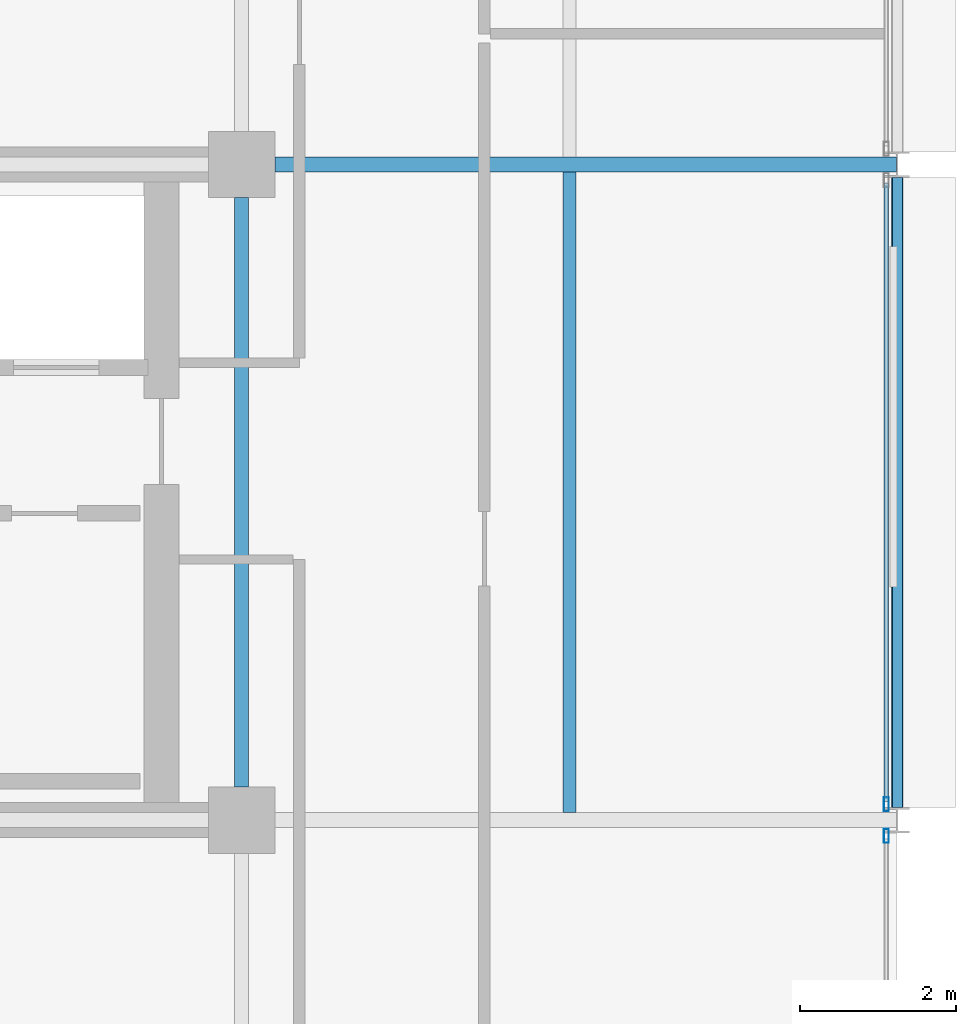
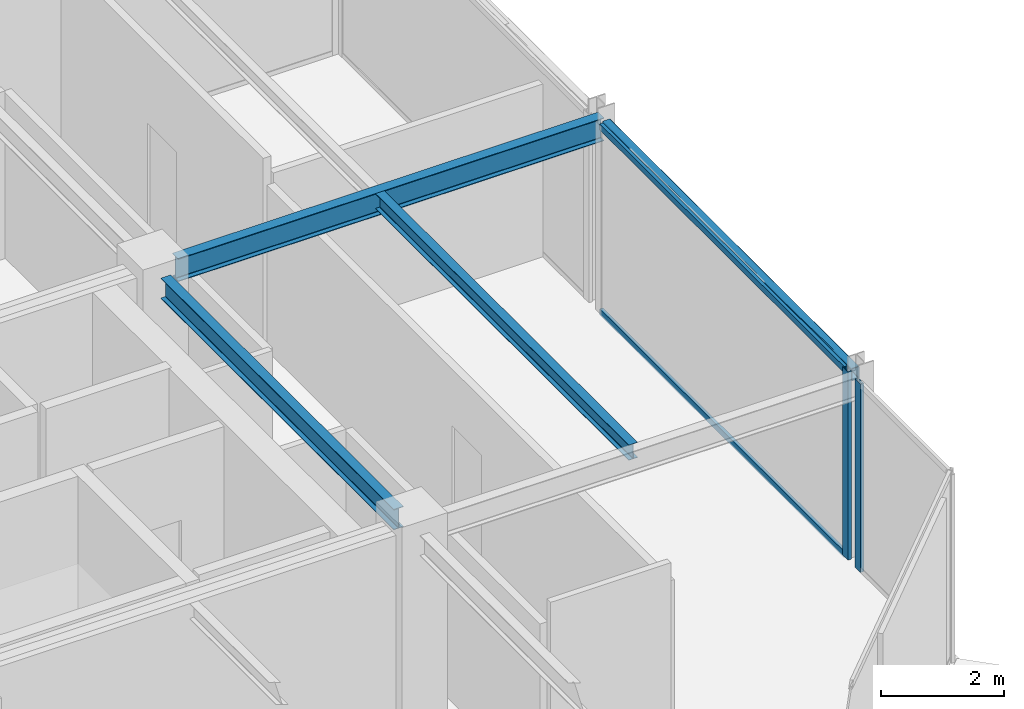
# One storey, part 15 of 27: 4 beams, 4 members, 2 elements without a shape of their own.
"""IFC4 building model written with IfcOpenShell, lengths in metres."""

from ifc_helpers import new_model, si_unit, direction, frame, origin, origin_2d, place, context, subcontext, project, spatial, hollow_rectangle, i_section, extrude, material, layer, layer_set, material_profile, profile_set, type_object, element, aggregate, save


model = new_model("IFC4")

# Units and contexts
model_context = context("Model", 3, precision=1e-05, world=origin(), true_north=direction((0.0, 1.0)))
body_context = subcontext(model_context, "Body", "Model", "MODEL_VIEW")
ifc_project = project(units=[si_unit("LENGTHUNIT", "METRE"), si_unit("AREAUNIT", "SQUARE_METRE"), si_unit("VOLUMEUNIT", "CUBIC_METRE"), si_unit("PLANEANGLEUNIT", "RADIAN"), si_unit("MASSUNIT", "GRAM", prefix="KILO")], contexts=[model_context])

# Site, building, storey
site_placement = place(None, origin())
site = spatial("IfcSite", under=ifc_project, at=site_placement, CompositionType="ELEMENT")
building_placement = place(site_placement, origin())
building = spatial("IfcBuilding", under=site, at=building_placement, Name="Nerrivon Quay Data Exchange", CompositionType="ELEMENT")
storey_placement = place(building_placement, frame((0.0, 0.0, 254.199951171875)))
storey = spatial("IfcBuildingStorey", under=building, at=storey_placement, Name="L60", CompositionType="ELEMENT", Elevation=254.199951171875)

# Beams
ifc_material_1 = material(Name="Steel Grade 350", Category="steel")
ifc_material_profile_1 = material_profile(ifc_material_1, i_section(OverallWidth=0.18994140625, OverallDepth=0.4541015625, WebThickness=0.008544921875, FlangeThickness=0.0126953125, FilletRadius=0.011474609375, at=origin_2d()), Name="460UB67.1")
ifc_profile_set_1 = profile_set([ifc_material_profile_1], Name="Steel Grade 350")
beam_type_1 = type_object("IfcBeamType", Name="BM-G6-460UB67", PredefinedType="BEAM", material=ifc_profile_set_1)
beam_1_placement = place(storey_placement, frame((34.02490234375, 16.800048828125, 3.498046875), z_axis=(1.0, 0.0, 0.0), x_axis=(0.0, 1.0, 0.0)))
element("IfcBeam", 1, at=beam_1_placement, inside=storey, type_object=beam_type_1, Name="L60 EW Girder Y=16.8 (33.6..42.0)", PredefinedType="BEAM", context=body_context, shape_type="SweptSolid", body=[
    extrude(i_section(OverallWidth=0.18994140625, OverallDepth=0.4541015625, WebThickness=0.008544921875, FlangeThickness=0.0126953125, FilletRadius=0.011474609375, at=origin_2d()), origin(), (0.0, 0.0, 1.0), 7.96728515625),
])
ifc_material_profile_2 = material_profile(ifc_material_1, i_section(OverallWidth=0.177978515625, OverallDepth=0.406005859375, WebThickness=0.0078125, FlangeThickness=0.0126953125, FilletRadius=0.011474609375, at=origin_2d()), Name="410UB59.7")
ifc_profile_set_2 = profile_set([ifc_material_profile_2], Name="Steel Grade 350")
beam_type_2 = type_object("IfcBeamType", Name="BM-J1-410UB60", PredefinedType="JOIST", material=ifc_profile_set_2)
beam_2_placement = place(storey_placement, frame((33.60009765625, 8.824951171875, 3.52197265625), z_axis=(0.0, 1.0, 0.0), x_axis=(-1.0, 0.0, 0.0)))
element("IfcBeam", 2, at=beam_2_placement, inside=storey, type_object=beam_type_2, Name="L60 NS Girder X=33.6 (8.4..16.8)", PredefinedType="JOIST", context=body_context, shape_type="SweptSolid", body=[
    extrude(i_section(OverallWidth=0.177978515625, OverallDepth=0.406005859375, WebThickness=0.0078125, FlangeThickness=0.0126953125, FilletRadius=0.011474609375, at=origin_2d()), origin(), (0.0, 0.0, 1.0), 7.550048828125),
])
ifc_material_profile_3 = material_profile(ifc_material_1, i_section(OverallWidth=0.1650390625, OverallDepth=0.303955078125, WebThickness=0.006103515625, FlangeThickness=0.01025390625, FilletRadius=0.011474609375, at=origin_2d()), Name="310UB40.4")
ifc_profile_set_3 = profile_set([ifc_material_profile_3], Name="Steel Grade 350")
beam_type_3 = type_object("IfcBeamType", Name="BM-J6-310UB40", PredefinedType="JOIST", material=ifc_profile_set_3)
beam_3_placement = place(storey_placement, frame((37.800048828125, 8.4951171875, 3.572998046875), z_axis=(0.0, 1.0, 0.0), x_axis=(-1.0, 0.0, 0.0)))
element("IfcBeam", 3, at=beam_3_placement, inside=storey, type_object=beam_type_3, Name="L60 Secondary Joist X=37.8 (8.4..16.8)", PredefinedType="JOIST", context=body_context, shape_type="SweptSolid", body=[
    extrude(i_section(OverallWidth=0.1650390625, OverallDepth=0.303955078125, WebThickness=0.006103515625, FlangeThickness=0.01025390625, FilletRadius=0.011474609375, at=origin_2d()), origin(), (0.0, 0.0, 1.0), 8.2099609375),
])
ifc_material_2 = material(Name="Steel Grade C350L0 (350 MPa)", Category="steel")
ifc_material_profile_4 = material_profile(ifc_material_2, hollow_rectangle(XDim=0.14990234375, YDim=0.25, WallThickness=0.009033203125, InnerFilletRadius=0.013427734375, OuterFilletRadius=0.0224609375, at=origin_2d()), Name="250x150x9.0RHS")
ifc_profile_set_4 = profile_set([ifc_material_profile_4], Name="Steel Grade C350L0 (350 MPa)")
beam_type_4 = type_object("IfcBeamType", Name="BM-SP4-250x150RHS", PredefinedType="SPANDREL", material=ifc_profile_set_4)
beam_4_placement = place(storey_placement, frame((42.0, 8.5634765625, 3.60009765625), z_axis=(0.0, 1.0, 0.0), x_axis=(-1.0, 0.0, 0.0)))
element("IfcBeam", 4, at=beam_4_placement, inside=storey, type_object=beam_type_4, Name="L60 NS Girder X=42.0 (8.4..16.8)", PredefinedType="SPANDREL", context=body_context, shape_type="SweptSolid", body=[
    extrude(hollow_rectangle(XDim=0.14990234375, YDim=0.25, WallThickness=0.009033203125, InnerFilletRadius=0.013427734375, OuterFilletRadius=0.0224609375, at=origin_2d()), origin(), (0.0, 0.0, 1.0), 8.072998046875),
])

# Curtain wall, member
ifc_material_3 = material(Name="Anodised aluminium 6063-T6", Category="aluminium")
ifc_layer = layer(ifc_material_3, 0.195068359375)
ifc_layer_set = layer_set([ifc_layer], Name="Anodised aluminium 6063-T6")
curtain_wall_type = type_object("IfcCurtainWallType", Name="CW-SYS-06", PredefinedType="NOTDEFINED", material=ifc_layer_set)
curtain_wall_1_placement = place(storey_placement, origin())
curtain_wall_1 = element("IfcCurtainWall", 5, at=curtain_wall_1_placement, inside=storey, type_object=curtain_wall_type, Name="L60 Unitised Curtain Wall 27", PredefinedType="NOTDEFINED")
ifc_material_profile_5 = material_profile(ifc_material_3, hollow_rectangle(XDim=0.06494140625, YDim=0.179931640625, WallThickness=0.00341796875, at=origin_2d()), Name="ALU-MULL-180x65")
ifc_profile_set_5 = profile_set([ifc_material_profile_5], Name="Anodised aluminium 6063-T6")
member_type_1 = type_object("IfcMemberType", Name="CWM-180x65", PredefinedType="MULLION", material=ifc_profile_set_5)
member_1_placement = place(storey_placement, frame((41.860107421875, 8.60107421875, 0.0), z_axis=(0.0, 0.0, 1.0), x_axis=(1.0, 0.0, 0.0)))
member_1 = element("IfcMember", 6, at=member_1_placement, type_object=member_type_1, Name="CW06 mullion 2", PredefinedType="MULLION", context=body_context, shape_type="SweptSolid", body=[
    extrude(hollow_rectangle(XDim=0.06494140625, YDim=0.179931640625, WallThickness=0.00341796875, at=origin_2d()), origin(), (0.0, 0.0, 1.0), 3.72509765625),
])

curtain_wall_2_placement = place(storey_placement, origin())
curtain_wall_2 = element("IfcCurtainWall", 7, at=curtain_wall_2_placement, inside=storey, type_object=curtain_wall_type, Name="L60 Unitised Curtain Wall 28", PredefinedType="NOTDEFINED")
member_2_placement = place(storey_placement, frame((41.860107421875, 8.198974609375, 0.0), z_axis=(0.0, 0.0, 1.0), x_axis=(1.0, 0.0, 0.0)))
member_2 = element("IfcMember", 8, at=member_2_placement, type_object=member_type_1, Name="CW06 mullion 1", PredefinedType="MULLION", context=body_context, shape_type="SweptSolid", body=[
    extrude(hollow_rectangle(XDim=0.06494140625, YDim=0.179931640625, WallThickness=0.00341796875, at=origin_2d()), origin(), (0.0, 0.0, 1.0), 3.72509765625),
])
aggregate(curtain_wall_2, [member_2])

# Member
ifc_material_profile_6 = material_profile(ifc_material_3, hollow_rectangle(XDim=0.06005859375, YDim=0.1201171875, WallThickness=0.003173828125, at=origin_2d()), Name="ALU-TRAN-120x60")
ifc_profile_set_6 = profile_set([ifc_material_profile_6], Name="Anodised aluminium 6063-T6")
member_type_2 = type_object("IfcMemberType", Name="CWT-120x60", PredefinedType="USERDEFINED", material=ifc_profile_set_6)
member_3_placement = place(storey_placement, frame((41.860107421875, 16.5615234375, 0.032470703125), z_axis=(0.0, -1.0, 0.0), x_axis=(1.0, 0.0, 0.0)))
member_3 = element("IfcMember", 9, at=member_3_placement, type_object=member_type_2, Name="CW06 transom 1.1", ObjectType="TRANSOM", PredefinedType="USERDEFINED", context=body_context, shape_type="SweptSolid", body=[
    extrude(hollow_rectangle(XDim=0.06005859375, YDim=0.1201171875, WallThickness=0.003173828125, at=origin_2d()), origin(), (0.0, 0.0, 1.0), 7.923095703125),
])

member_4_placement = place(storey_placement, frame((41.860107421875, 16.5615234375, 3.692626953125), z_axis=(0.0, -1.0, 0.0), x_axis=(1.0, 0.0, 0.0)))
member_4 = element("IfcMember", 10, at=member_4_placement, type_object=member_type_2, Name="CW06 transom 1.2", ObjectType="TRANSOM", PredefinedType="USERDEFINED", context=body_context, shape_type="SweptSolid", body=[
    extrude(hollow_rectangle(XDim=0.06005859375, YDim=0.1201171875, WallThickness=0.003173828125, at=origin_2d()), origin(), (0.0, 0.0, 1.0), 7.923095703125),
])

aggregate(curtain_wall_1, [member_1, member_3, member_4])

save(model, "model.ifc")
